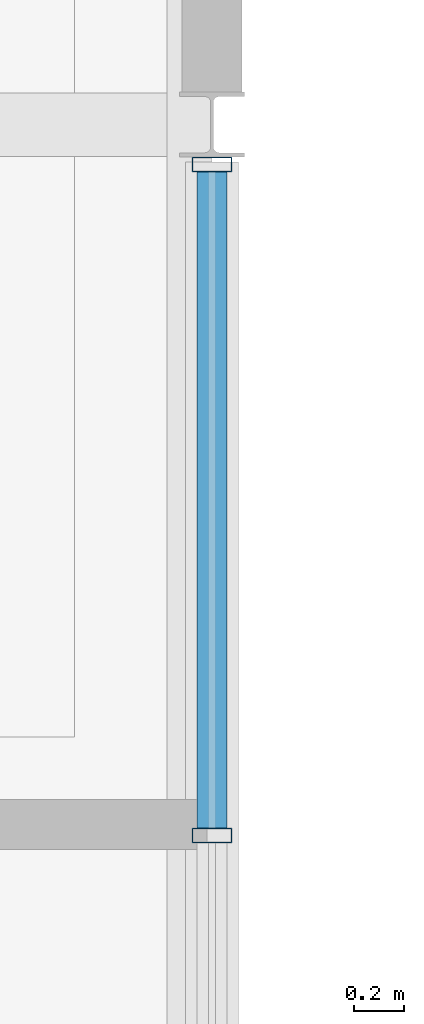
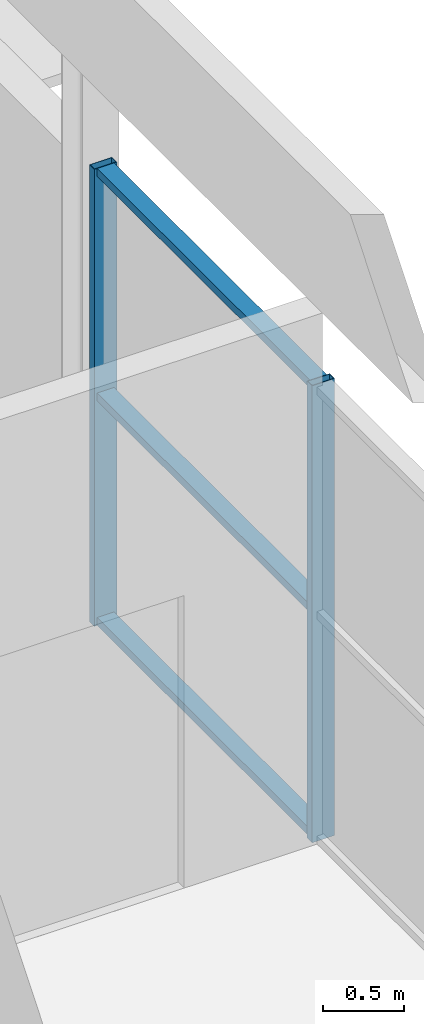
# One storey, part 33 of 43: 5 members, 1 element without a shape of its own.
"""IFC4 building model written with IfcOpenShell, lengths in metres."""

from ifc_helpers import new_model, si_unit, direction, frame, origin, origin_2d, place, context, subcontext, project, spatial, hollow_rectangle, extrude, material, material_profile, profile_set, type_object, element, aggregate, save


model = new_model("IFC4")

# Units and contexts
model_context = context("Model", 3, precision=1e-05, world=origin(), true_north=direction((0.0, 1.0)))
body_context = subcontext(model_context, "Body", "Model", "MODEL_VIEW")
ifc_project = project(units=[si_unit("LENGTHUNIT", "METRE"), si_unit("AREAUNIT", "SQUARE_METRE"), si_unit("VOLUMEUNIT", "CUBIC_METRE"), si_unit("PLANEANGLEUNIT", "RADIAN"), si_unit("MASSUNIT", "GRAM", prefix="KILO"), si_unit("THERMODYNAMICTEMPERATUREUNIT", "KELVIN")], contexts=[model_context])

# Site, building, storey
site_placement = place(None, origin())
site = spatial("IfcSite", under=ifc_project, at=site_placement, CompositionType="ELEMENT")
building_placement = place(site_placement, origin())
building = spatial("IfcBuilding", under=site, at=building_placement, Name="Nduvali Passage Aquatics Centre", CompositionType="ELEMENT")
storey_placement = place(building_placement, frame((0.0, 0.0, 17.39990234375)))
storey = spatial("IfcBuildingStorey", under=building, at=storey_placement, Name="L04", CompositionType="ELEMENT", Elevation=17.39990234375)

# Curtain wall, members
ifc_material = material(Name="Aluminium EN AW-6063 T6", Category="aluminium")
curtain_wall_type = type_object("IfcCurtainWallType", Name="ENV-CW-PASS", PredefinedType="NOTDEFINED", material=ifc_material)
curtain_wall_placement = place(storey_placement, origin())
curtain_wall = element("IfcCurtainWall", 1, at=curtain_wall_placement, inside=storey, type_object=curtain_wall_type, Name="L04 East Passage Wellness CW 124", PredefinedType="NOTDEFINED")
ifc_material_profile_1 = material_profile(ifc_material, hollow_rectangle(XDim=0.06005859375, YDim=0.159912109375, WallThickness=0.00390625, at=origin_2d()), Name="ALU MULLION 60x160x4")
ifc_profile_set_1 = profile_set([ifc_material_profile_1], Name="Aluminium EN AW-6063 T6")
member_type_1 = type_object("IfcMemberType", Name="ENV-MEM-MUL60", PredefinedType="MULLION", material=ifc_profile_set_1)
member_1_placement = place(storey_placement, frame((126.0, 106.356689453125, 0.0), z_axis=(0.0, 0.0, 1.0), x_axis=(0.0, 1.0, 0.0)))
member_1 = element("IfcMember", 2, at=member_1_placement, type_object=member_type_1, Name="East Passage Wellness CW Mullion 3", PredefinedType="MULLION", context=body_context, shape_type="SweptSolid", body=[
    extrude(hollow_rectangle(XDim=0.06005859375, YDim=0.159912109375, WallThickness=0.00390625, at=origin_2d()), origin(), (0.0, 0.0, 1.0), 3.4365234375),
])
member_2_placement = place(storey_placement, frame((126.0, 109.0400390625, 0.0), z_axis=(0.0, 0.0, 1.0), x_axis=(0.0, 1.0, 0.0)))
member_2 = element("IfcMember", 3, at=member_2_placement, type_object=member_type_1, Name="East Passage Wellness CW Mullion 4", PredefinedType="MULLION", context=body_context, shape_type="SweptSolid", body=[
    extrude(hollow_rectangle(XDim=0.06005859375, YDim=0.159912109375, WallThickness=0.00390625, at=origin_2d()), origin(), (0.0, 0.0, 1.0), 3.4365234375),
])
ifc_material_profile_2 = material_profile(ifc_material, hollow_rectangle(XDim=0.1201171875, YDim=0.06005859375, WallThickness=0.00390625, at=origin_2d()), Name="ALU TRANSOM 120x60x4")
ifc_profile_set_2 = profile_set([ifc_material_profile_2], Name="Aluminium EN AW-6063 T6")
member_type_2 = type_object("IfcMemberType", Name="ENV-MEM-TRN60", PredefinedType="USERDEFINED", material=ifc_profile_set_2)
member_3_placement = place(storey_placement, frame((126.0, 106.38671875, 0.030029296875), z_axis=(0.0, 1.0, 0.0), x_axis=(-1.0, 0.0, 0.0)))
member_3 = element("IfcMember", 4, at=member_3_placement, type_object=member_type_2, Name="East Passage Wellness CW Transom B3-R0", ObjectType="TRANSOM", PredefinedType="USERDEFINED", context=body_context, shape_type="SweptSolid", body=[
    extrude(hollow_rectangle(XDim=0.1201171875, YDim=0.06005859375, WallThickness=0.00390625, at=origin_2d()), origin(), (0.0, 0.0, 1.0), 2.623291015625),
])
member_4_placement = place(storey_placement, frame((126.0, 106.38671875, 1.71826171875), z_axis=(0.0, 1.0, 0.0), x_axis=(-1.0, 0.0, 0.0)))
member_4 = element("IfcMember", 5, at=member_4_placement, type_object=member_type_2, Name="East Passage Wellness CW Transom B3-R1", ObjectType="TRANSOM", PredefinedType="USERDEFINED", context=body_context, shape_type="SweptSolid", body=[
    extrude(hollow_rectangle(XDim=0.1201171875, YDim=0.06005859375, WallThickness=0.00390625, at=origin_2d()), origin(), (0.0, 0.0, 1.0), 2.623291015625),
])
member_5_placement = place(storey_placement, frame((126.0, 106.38671875, 3.406494140625), z_axis=(0.0, 1.0, 0.0), x_axis=(-1.0, 0.0, 0.0)))
member_5 = element("IfcMember", 6, at=member_5_placement, type_object=member_type_2, Name="East Passage Wellness CW Transom B3-R2", ObjectType="TRANSOM", PredefinedType="USERDEFINED", context=body_context, shape_type="SweptSolid", body=[
    extrude(hollow_rectangle(XDim=0.1201171875, YDim=0.06005859375, WallThickness=0.00390625, at=origin_2d()), origin(), (0.0, 0.0, 1.0), 2.623291015625),
])
aggregate(curtain_wall, [member_1, member_2, member_3, member_4, member_5])

save(model, "model.ifc")
